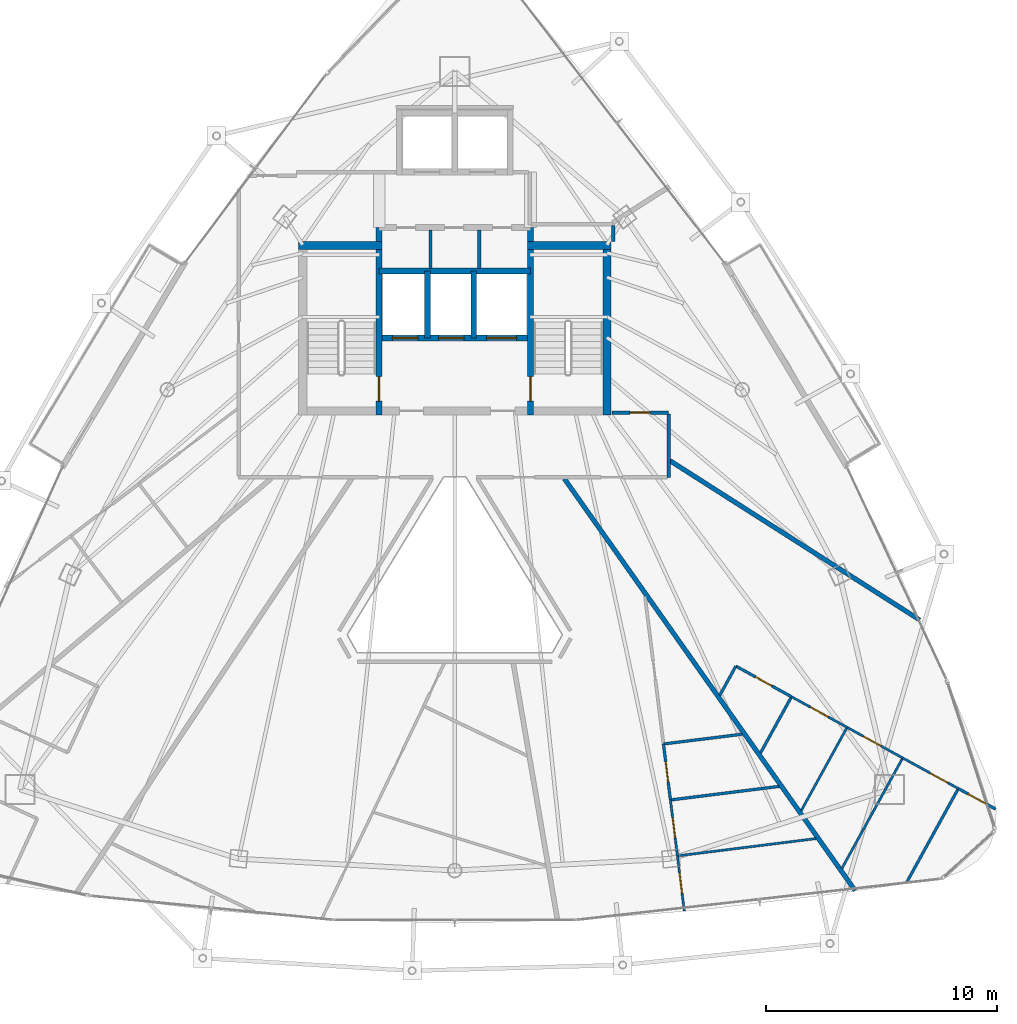
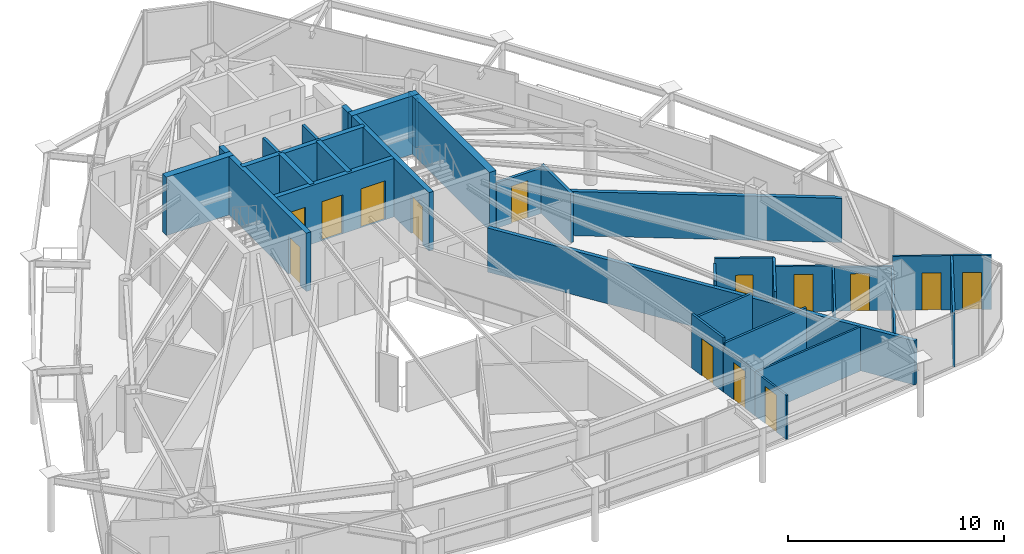
# One storey, part 29 of 33: 32 walls, 14 doors, 14 openings.
"""IFC4 building model written with IfcOpenShell, lengths in metres."""

from ifc_helpers import new_model, si_unit, direction, frame, frame_2d, origin, place, context, subcontext, project, spatial, rectangle, extrude, material, layer, layer_set, type_object, element, fill, save


model = new_model("IFC4")

# Units and contexts
model_context = context("Model", 3, precision=1e-05, world=origin(), true_north=direction((0.0, 1.0)))
body_context = subcontext(model_context, "Body", "Model", "MODEL_VIEW")
ifc_project = project(units=[si_unit("LENGTHUNIT", "METRE"), si_unit("AREAUNIT", "SQUARE_METRE"), si_unit("VOLUMEUNIT", "CUBIC_METRE"), si_unit("PLANEANGLEUNIT", "RADIAN"), si_unit("MASSUNIT", "GRAM", prefix="KILO")], contexts=[model_context])

# Site, building, storey
site_placement = place(None, origin())
site = spatial("IfcSite", under=ifc_project, at=site_placement, CompositionType="ELEMENT")
building_placement = place(site_placement, origin())
building = spatial("IfcBuilding", under=site, at=building_placement, Name="Orvanel Arch Residences", CompositionType="ELEMENT")
storey_placement = place(building_placement, frame((0.0, 0.0, 212.89990234375)))
storey = spatial("IfcBuildingStorey", under=building, at=storey_placement, Name="L60", CompositionType="ELEMENT", Elevation=212.89990234375)

# Wall, opening, door
ifc_material_1 = material(Name="Concrete N50 (50 MPa)", Category="concrete")
ifc_layer_1 = layer(ifc_material_1, 0.25)
ifc_layer_set_1 = layer_set([ifc_layer_1], Name="Concrete N50 (50 MPa)")
wall_type_1 = type_object("IfcWallType", Name="SW-CORE-250", PredefinedType="SHEAR", material=ifc_layer_set_1)
wall_1_placement = place(storey_placement, frame((29.72509765625, 26.550048828125, 0.0), z_axis=(0.0, 0.0, 1.0), x_axis=(0.0, 1.0, 0.0)))
wall_1 = element("IfcWall", 1, at=wall_1_placement, inside=storey, type_object=wall_type_1, Name="L60 West Inner Core Spine Shear Wall", PredefinedType="SHEAR", context=body_context, shape_type="SweptSolid", body=[
    extrude(rectangle(XDim=8.099853515625, YDim=0.25, at=frame_2d((4.0498046875, 0.0))), origin(), (0.0, 0.0, 1.0), 3.300048828125),
])
opening_1_placement = place(wall_1_placement, frame((0.60009765625, 0.0, 0.0)))
opening_1 = element("IfcOpeningElement", 2, at=opening_1_placement, cuts=wall_1, Name="Opening DF-120", PredefinedType="OPENING", context=body_context, shape_type="SweptSolid", body=[
    extrude(rectangle(XDim=1.050048828125, YDim=2.14990234375, at=frame_2d((0.52490234375, 1.074951171875))), frame((0.0, 0.135009765625, 0.0), z_axis=(0.0, -1.0, 0.0), x_axis=(1.0, 0.0, 0.0)), (0.0, 0.0, 1.0), 0.27001953125),
])
ifc_material_2 = material(Name="Galvanised steel fire-resisting door assembly", Category="steel")
door_type_1 = type_object("IfcDoorType", Name="DR-FD120-1050", OperationType="NOTDEFINED", PredefinedType="DOOR", material=ifc_material_2)
door_1_placement = place(opening_1_placement, origin())
door_1 = element("IfcDoor", 3, at=door_1_placement, inside=storey, type_object=door_type_1, Name="DR-L60-ST1 L60 Stair 1 Fire Door", OperationType="SINGLE_SWING_LEFT", OverallHeight=2.14990234375, OverallWidth=1.050048828125, PredefinedType="DOOR", context=body_context, shape_type="SweptSolid", body=[
    extrude(rectangle(XDim=1.050048828125, YDim=2.14990234375, at=frame_2d((0.52490234375, 1.074951171875))), frame((0.0, 0.02490234375, 0.0), z_axis=(0.0, -1.0, 0.0), x_axis=(1.0, 0.0, 0.0)), (0.0, 0.0, 1.0), 0.050048828125),
])
fill(opening_1, door_1)

wall_2_placement = place(storey_placement, frame((36.27490234375, 26.550048828125, 0.0), z_axis=(0.0, 0.0, 1.0), x_axis=(0.0, 1.0, 0.0)))
wall_2 = element("IfcWall", 4, at=wall_2_placement, inside=storey, type_object=wall_type_1, Name="L60 East Inner Core Spine Shear Wall", PredefinedType="SHEAR", context=body_context, shape_type="SweptSolid", body=[
    extrude(rectangle(XDim=8.099853515625, YDim=0.25, at=frame_2d((4.0498046875, 0.0))), origin(), (0.0, 0.0, 1.0), 3.300048828125),
])
opening_2_placement = place(wall_2_placement, frame((0.60009765625, 0.0, 0.0)))
opening_2 = element("IfcOpeningElement", 5, at=opening_2_placement, cuts=wall_2, Name="Opening DF-120", PredefinedType="OPENING", context=body_context, shape_type="SweptSolid", body=[
    extrude(rectangle(XDim=1.050048828125, YDim=2.14990234375, at=frame_2d((0.52490234375, 1.074951171875))), frame((0.0, 0.135009765625, 0.0), z_axis=(0.0, -1.0, 0.0), x_axis=(1.0, 0.0, 0.0)), (0.0, 0.0, 1.0), 0.27001953125),
])
door_2_placement = place(opening_2_placement, origin())
door_2 = element("IfcDoor", 6, at=door_2_placement, inside=storey, type_object=door_type_1, Name="DR-L60-ST2 L60 Stair 2 Fire Door", OperationType="SINGLE_SWING_RIGHT", OverallHeight=2.14990234375, OverallWidth=1.050048828125, PredefinedType="DOOR", context=body_context, shape_type="SweptSolid", body=[
    extrude(rectangle(XDim=1.050048828125, YDim=2.14990234375, at=frame_2d((0.52490234375, 1.074951171875))), frame((0.0, 0.02490234375, 0.0), z_axis=(0.0, -1.0, 0.0), x_axis=(1.0, 0.0, 0.0)), (0.0, 0.0, 1.0), 0.050048828125),
])
fill(opening_2, door_2)

# Wall, openings, doors
wall_3_placement = place(storey_placement, frame((36.27490234375, 29.875, 0.0), z_axis=(0.0, 0.0, 1.0), x_axis=(-1.0, 0.0, 0.0)))
wall_3 = element("IfcWall", 7, at=wall_3_placement, inside=storey, type_object=wall_type_1, Name="L60 Emergency Lift Front Core Shear Wall", PredefinedType="SHEAR", context=body_context, shape_type="SweptSolid", body=[
    extrude(rectangle(XDim=6.5498046875, YDim=0.25, at=frame_2d((3.27490234375, 0.0))), origin(), (0.0, 0.0, 1.0), 3.300048828125),
])
opening_3_placement = place(wall_3_placement, frame((4.875, 0.0, 0.0)))
opening_3 = element("IfcOpeningElement", 8, at=opening_3_placement, cuts=wall_3, Name="Opening LD-110", PredefinedType="OPENING", context=body_context, shape_type="SweptSolid", body=[
    extrude(rectangle(XDim=1.10009765625, YDim=2.199951171875, at=frame_2d((0.550048828125, 1.10009765625))), frame((0.0, 0.135009765625, 0.0), z_axis=(0.0, -1.0, 0.0), x_axis=(1.0, 0.0, 0.0)), (0.0, 0.0, 1.0), 0.27001953125),
])
opening_4_placement = place(wall_3_placement, frame((2.875, 0.0, 0.0)))
opening_4 = element("IfcOpeningElement", 9, at=opening_4_placement, cuts=wall_3, Name="Opening LD-110", PredefinedType="OPENING", context=body_context, shape_type="SweptSolid", body=[
    extrude(rectangle(XDim=1.10009765625, YDim=2.199951171875, at=frame_2d((0.550048828125, 1.10009765625))), frame((0.0, 0.135009765625, 0.0), z_axis=(0.0, -1.0, 0.0), x_axis=(1.0, 0.0, 0.0)), (0.0, 0.0, 1.0), 0.27001953125),
])
opening_5_placement = place(wall_3_placement, frame((0.60009765625, 0.0, 0.0)))
opening_5 = element("IfcOpeningElement", 10, at=opening_5_placement, cuts=wall_3, Name="Opening LD-130", PredefinedType="OPENING", context=body_context, shape_type="SweptSolid", body=[
    extrude(rectangle(XDim=1.300048828125, YDim=2.199951171875, at=frame_2d((0.64990234375, 1.10009765625))), frame((0.0, 0.135009765625, 0.0), z_axis=(0.0, -1.0, 0.0), x_axis=(1.0, 0.0, 0.0)), (0.0, 0.0, 1.0), 0.27001953125),
])
door_type_2 = type_object("IfcDoorType", Name="DR-LFT-1100", OperationType="NOTDEFINED", PredefinedType="DOOR", material=ifc_material_2)
door_3_placement = place(opening_3_placement, origin())
door_3 = element("IfcDoor", 11, at=door_3_placement, inside=storey, type_object=door_type_2, Name="LD-F1-L60 L60 Lift F1 Sliding Landing Door", OperationType="DOUBLE_DOOR_SLIDING", OverallHeight=2.199951171875, OverallWidth=1.10009765625, PredefinedType="DOOR", context=body_context, shape_type="SweptSolid", body=[
    extrude(rectangle(XDim=1.10009765625, YDim=2.199951171875, at=frame_2d((0.550048828125, 1.10009765625))), frame((0.0, 0.02490234375, 0.0), z_axis=(0.0, -1.0, 0.0), x_axis=(1.0, 0.0, 0.0)), (0.0, 0.0, 1.0), 0.050048828125),
])
fill(opening_3, door_3)
door_4_placement = place(opening_4_placement, origin())
door_4 = element("IfcDoor", 12, at=door_4_placement, inside=storey, type_object=door_type_2, Name="LD-F2-L60 L60 Lift F2 Sliding Landing Door", OperationType="DOUBLE_DOOR_SLIDING", OverallHeight=2.199951171875, OverallWidth=1.10009765625, PredefinedType="DOOR", context=body_context, shape_type="SweptSolid", body=[
    extrude(rectangle(XDim=1.10009765625, YDim=2.199951171875, at=frame_2d((0.550048828125, 1.10009765625))), frame((0.0, 0.02490234375, 0.0), z_axis=(0.0, -1.0, 0.0), x_axis=(1.0, 0.0, 0.0)), (0.0, 0.0, 1.0), 0.050048828125),
])
fill(opening_4, door_4)
door_type_3 = type_object("IfcDoorType", Name="DR-LFT-1300", OperationType="NOTDEFINED", PredefinedType="DOOR", material=ifc_material_2)
door_5_placement = place(opening_5_placement, origin())
door_5 = element("IfcDoor", 13, at=door_5_placement, inside=storey, type_object=door_type_3, Name="LD-G1-L60 L60 Lift G1 Sliding Landing Door", OperationType="DOUBLE_DOOR_SLIDING", OverallHeight=2.199951171875, OverallWidth=1.300048828125, PredefinedType="DOOR", context=body_context, shape_type="SweptSolid", body=[
    extrude(rectangle(XDim=1.300048828125, YDim=2.199951171875, at=frame_2d((0.64990234375, 1.10009765625))), frame((0.0, 0.02490234375, 0.0), z_axis=(0.0, -1.0, 0.0), x_axis=(1.0, 0.0, 0.0)), (0.0, 0.0, 1.0), 0.050048828125),
])
fill(opening_5, door_5)

# Walls
wall_4_placement = place(storey_placement, frame((29.72509765625, 32.77490234375, 0.0), z_axis=(0.0, 0.0, 1.0), x_axis=(1.0, 0.0, 0.0)))
element("IfcWall", 14, at=wall_4_placement, inside=storey, type_object=wall_type_1, Name="L60 Emergency Lift Back Core Shear Wall", PredefinedType="SHEAR", context=body_context, shape_type="SweptSolid", body=[
    extrude(rectangle(XDim=6.5498046875, YDim=0.25, at=frame_2d((3.27490234375, 0.0))), origin(), (0.0, 0.0, 1.0), 3.300048828125),
])
for number, where, z_axis, x_axis, name in (
    (15, (31.824951171875, 29.875, 0.0), (0.0, 0.0, 1.0), (0.0, 1.0, 0.0), "L60 Emergency Lift Inter-Shaft Wall F12"),
    (16, (33.824951171875, 29.875, 0.0), (0.0, 0.0, 1.0), (0.0, 1.0, 0.0), "L60 Emergency Lift Inter-Shaft Wall F2G"),
):
    element("IfcWall", number, at=place(storey_placement, frame(where, z_axis=z_axis, x_axis=x_axis)), inside=storey, type_object=wall_type_1, Name=name, PredefinedType="SHEAR", context=body_context, shape_type="SweptSolid", body=[
        extrude(rectangle(XDim=2.89990234375, YDim=0.25, at=frame_2d((1.449951171875, 0.0))), origin(), (0.0, 0.0, 1.0), 3.300048828125),
    ])
ifc_layer_2 = layer(ifc_material_1, 0.35009765625)
ifc_layer_set_2 = layer_set([ifc_layer_2], Name="Concrete N50 (50 MPa)")
wall_type_2 = type_object("IfcWallType", Name="SW-CORE-350", PredefinedType="SHEAR", material=ifc_layer_set_2)
wall_5_placement = place(storey_placement, frame((26.25, 33.875, 0.0), z_axis=(0.0, 0.0, 1.0), x_axis=(1.0, 0.0, 0.0)))
element("IfcWall", 17, at=wall_5_placement, inside=storey, type_object=wall_type_2, Name="L60 West Stair North Shear Wall", PredefinedType="SHEAR", context=body_context, shape_type="SweptSolid", body=[
    extrude(rectangle(XDim=3.60009765625, YDim=0.35009765625, at=frame_2d((1.800048828125, 0.0))), origin(), (0.0, 0.0, 1.0), 3.300048828125),
])
wall_6_placement = place(storey_placement, frame((39.574951171875, 26.550048828125, 0.0), z_axis=(0.0, 0.0, 1.0), x_axis=(0.0, 1.0, 0.0)))
element("IfcWall", 18, at=wall_6_placement, inside=storey, type_object=wall_type_2, Name="L60 East Stair Shear Wall", PredefinedType="SHEAR", context=body_context, shape_type="SweptSolid", body=[
    extrude(rectangle(XDim=7.5, YDim=0.35009765625, at=frame_2d((3.75, 0.0))), origin(), (0.0, 0.0, 1.0), 3.300048828125),
])
wall_7_placement = place(storey_placement, frame((36.14990234375, 33.875, 0.0), z_axis=(0.0, 0.0, 1.0), x_axis=(1.0, 0.0, 0.0)))
element("IfcWall", 19, at=wall_7_placement, inside=storey, type_object=wall_type_2, Name="L60 East Stair North Shear Wall", PredefinedType="SHEAR", context=body_context, shape_type="SweptSolid", body=[
    extrude(rectangle(XDim=3.60009765625, YDim=0.35009765625, at=frame_2d((1.800048828125, 0.0))), origin(), (0.0, 0.0, 1.0), 3.300048828125),
])

# Wall, opening, door
ifc_material_3 = material(Name="Fire-rated plasterboard lined steel stud partition", Category="steel")
ifc_layer_3 = layer(ifc_material_3, 0.14990234375)
ifc_layer_set_3 = layer_set([ifc_layer_3], Name="Fire-rated plasterboard lined steel stud partition")
wall_type_3 = type_object("IfcWallType", Name="W-COR-150", PredefinedType="PARTITIONING", material=ifc_layer_set_3)
wall_8_placement = place(storey_placement, frame((39.7900390625, 26.64990234375, 0.0), z_axis=(0.0, 0.0, 1.0), x_axis=(1.0, 0.0, 0.0)))
wall_8 = element("IfcWall", 20, at=wall_8_placement, inside=storey, type_object=wall_type_3, Name="L60 Corridor Fire-Rated Partition", PredefinedType="PARTITIONING", context=body_context, shape_type="SweptSolid", body=[
    extrude(rectangle(XDim=2.4599609375, YDim=0.14990234375, at=frame_2d((1.22998046875, 0.0))), origin(), (0.0, 0.0, 1.0), 2.565185546875),
])
opening_6_placement = place(wall_8_placement, frame((0.7900390625, 0.0, 0.0)))
opening_6 = element("IfcOpeningElement", 21, at=opening_6_placement, cuts=wall_8, Name="Opening DI-088", PredefinedType="OPENING", context=body_context, shape_type="SweptSolid", body=[
    extrude(rectangle(XDim=0.8798828125, YDim=2.10009765625, at=frame_2d((0.43994140625, 1.050048828125))), frame((0.0, 0.0849609375, 0.0), z_axis=(0.0, -1.0, 0.0), x_axis=(1.0, 0.0, 0.0)), (0.0, 0.0, 1.0), 0.169921875),
])
ifc_material_4 = material(Name="Solid-core European oak veneer fire door leaf", Category="wood")
door_type_4 = type_object("IfcDoorType", Name="DR-INT-880", OperationType="NOTDEFINED", PredefinedType="DOOR", material=ifc_material_4)
door_6_placement = place(opening_6_placement, origin())
door_6 = element("IfcDoor", 22, at=door_6_placement, inside=storey, type_object=door_type_4, Name="DR-L60-SHRD-FB6 L60 Co-Working Study Office F Door", OperationType="SINGLE_SWING_LEFT", OverallHeight=2.10009765625, OverallWidth=0.8798828125, PredefinedType="DOOR", context=body_context, shape_type="SweptSolid", body=[
    extrude(rectangle(XDim=0.8798828125, YDim=2.10009765625, at=frame_2d((0.43994140625, 1.050048828125))), frame((0.0, 0.02490234375, 0.0), z_axis=(0.0, -1.0, 0.0), x_axis=(1.0, 0.0, 0.0)), (0.0, 0.0, 1.0), 0.050048828125),
])
fill(opening_6, door_6)

# Walls
wall_9_placement = place(storey_placement, frame((42.25, 26.590087890625, 0.0), z_axis=(0.0, 0.0, 1.0), x_axis=(0.0, -1.0, 0.0)))
element("IfcWall", 23, at=wall_9_placement, inside=storey, type_object=wall_type_3, Name="L60 Corridor Fire-Rated Partition", PredefinedType="PARTITIONING", context=body_context, shape_type="SweptSolid", body=[
    extrude(rectangle(XDim=2.739990234375, YDim=0.14990234375, at=frame_2d((1.3701171875, 0.0))), origin(), (0.0, 0.0, 1.0), 2.773193359375),
])
wall_10_placement = place(storey_placement, frame((39.85009765625, 34.739990234375, 0.0), z_axis=(0.0, 0.0, 1.0), x_axis=(0.0, -1.0, 0.0)))
element("IfcWall", 24, at=wall_10_placement, inside=storey, type_object=wall_type_3, Name="L60 Core Perimeter Partition", PredefinedType="PARTITIONING", context=body_context, shape_type="SweptSolid", body=[
    extrude(rectangle(XDim=0.68994140625, YDim=0.14990234375, at=frame_2d((0.344970703125, 0.0))), origin(), (0.0, 0.0, 1.0), 2.773193359375),
])
ifc_layer_4 = layer(ifc_material_3, 0.199951171875)
ifc_layer_set_4 = layer_set([ifc_layer_4], Name="Fire-rated plasterboard lined steel stud partition")
wall_type_4 = type_object("IfcWallType", Name="W-DEM-200", PredefinedType="PARTITIONING", material=ifc_layer_set_4)
wall_11_placement = place(storey_placement, frame((50.31591796875, 5.97607421875, 0.0), z_axis=(0.0, 0.0, 1.0), x_axis=(-0.576784728977, 0.816896184603, 0.0)))
element("IfcWall", 25, at=wall_11_placement, inside=storey, type_object=wall_type_4, Name="L60 Inter-Tenancy Acoustic Demising Wall", PredefinedType="PARTITIONING", context=body_context, shape_type="SweptSolid", body=[
    extrude(rectangle(XDim=21.806884765625, YDim=0.199951171875, at=frame_2d((10.9033203125, 0.0))), origin(), (0.0, 0.0, 1.0), 2.4921875),
])
wall_12_placement = place(storey_placement, frame((42.31005859375, 24.56494140625, 0.0), z_axis=(0.0, 0.0, 1.0), x_axis=(0.843209388644, -0.537585274075, 0.0)))
element("IfcWall", 26, at=wall_12_placement, inside=storey, type_object=wall_type_4, Name="L60 Inter-Tenancy Acoustic Demising Wall", PredefinedType="PARTITIONING", context=body_context, shape_type="SweptSolid", body=[
    extrude(rectangle(XDim=12.81640625, YDim=0.199951171875, at=frame_2d((6.408203125, 0.0))), origin(), (0.0, 0.0, 1.0), 2.4921875),
])

# Wall, opening, door
ifc_material_5 = material(Name="Acoustic plasterboard lined twin-stud partition", Category="gypsum")
ifc_layer_5 = layer(ifc_material_5, 0.10009765625)
ifc_layer_set_5 = layer_set([ifc_layer_5], Name="Acoustic plasterboard lined twin-stud partition")
wall_type_5 = type_object("IfcWallType", Name="W-INT-100", PredefinedType="PARTITIONING", material=ifc_layer_set_5)
wall_13_placement = place(storey_placement, frame((54.77587890625, 10.389892578125, 0.0), z_axis=(0.0, 0.0, 1.0), x_axis=(-0.876159561865, 0.48202118434, 0.0)))
wall_13 = element("IfcWall", 27, at=wall_13_placement, inside=storey, type_object=wall_type_5, Name="L60 Studio B Internal Partition", PredefinedType="PARTITIONING", context=body_context, shape_type="SweptSolid", body=[
    extrude(rectangle(XDim=2.74462890625, YDim=0.10009765625, at=frame_2d((1.372314453125, 0.0))), origin(), (0.0, 0.0, 1.0), 3.06005859375),
])
opening_7_placement = place(wall_13_placement, frame((0.508056640625, 0.0, 0.0)))
opening_7 = element("IfcOpeningElement", 28, at=opening_7_placement, cuts=wall_13, Name="Opening DI-088", PredefinedType="OPENING", context=body_context, shape_type="SweptSolid", body=[
    extrude(rectangle(XDim=0.8798828125, YDim=2.10009765625, at=frame_2d((0.43994140625, 1.050048828125))), frame((0.0, 0.06005859375, 0.0), z_axis=(0.0, -1.0, 0.0), x_axis=(1.0, 0.0, 0.0)), (0.0, 0.0, 1.0), 0.1201171875),
])
door_7_placement = place(opening_7_placement, origin())
door_7 = element("IfcDoor", 29, at=door_7_placement, inside=storey, type_object=door_type_4, Name="DR-L60-B-WRD1 L60 Studio B Walk-In Wardrobe 2 Door", OperationType="SINGLE_SWING_LEFT", OverallHeight=2.10009765625, OverallWidth=0.8798828125, PredefinedType="DOOR", context=body_context, shape_type="SweptSolid", body=[
    extrude(rectangle(XDim=0.8798828125, YDim=2.10009765625, at=frame_2d((0.43994140625, 1.050048828125))), frame((0.0, 0.02490234375, 0.0), z_axis=(0.0, -1.0, 0.0), x_axis=(1.0, 0.0, 0.0)), (0.0, 0.0, 1.0), 0.050048828125),
])
fill(opening_7, door_7)

wall_14_placement = place(storey_placement, frame((52.37109375, 11.712890625, 0.0), z_axis=(0.0, 0.0, 1.0), x_axis=(-0.87599239457, 0.482324916064, 0.0)))
wall_14 = element("IfcWall", 30, at=wall_14_placement, inside=storey, type_object=wall_type_5, Name="L60 Studio B Internal Partition", PredefinedType="PARTITIONING", context=body_context, shape_type="SweptSolid", body=[
    extrude(rectangle(XDim=2.74560546875, YDim=0.10009765625, at=frame_2d((1.372802734375, 0.0))), origin(), (0.0, 0.0, 1.0), 2.4921875),
])
opening_8_placement = place(wall_14_placement, frame((1.073974609375, 0.0, 0.0)))
opening_8 = element("IfcOpeningElement", 31, at=opening_8_placement, cuts=wall_14, Name="Opening DI-088", PredefinedType="OPENING", context=body_context, shape_type="SweptSolid", body=[
    extrude(rectangle(XDim=0.8798828125, YDim=2.10009765625, at=frame_2d((0.43994140625, 1.050048828125))), frame((0.0, 0.06005859375, 0.0), z_axis=(0.0, -1.0, 0.0), x_axis=(1.0, 0.0, 0.0)), (0.0, 0.0, 1.0), 0.1201171875),
])
door_8_placement = place(opening_8_placement, origin())
door_8 = element("IfcDoor", 32, at=door_8_placement, inside=storey, type_object=door_type_4, Name="DR-L60-B-DIN2 L60 Studio B Dining Room 2 Door", OperationType="SINGLE_SWING_LEFT", OverallHeight=2.10009765625, OverallWidth=0.8798828125, PredefinedType="DOOR", context=body_context, shape_type="SweptSolid", body=[
    extrude(rectangle(XDim=0.8798828125, YDim=2.10009765625, at=frame_2d((0.43994140625, 1.050048828125))), frame((0.0, 0.02490234375, 0.0), z_axis=(0.0, -1.0, 0.0), x_axis=(1.0, 0.0, 0.0)), (0.0, 0.0, 1.0), 0.050048828125),
])
fill(opening_8, door_8)

wall_15_placement = place(storey_placement, frame((49.966064453125, 13.037109375, 0.0), z_axis=(0.0, 0.0, 1.0), x_axis=(-0.876029965154, 0.482256674554, 0.0)))
wall_15 = element("IfcWall", 33, at=wall_15_placement, inside=storey, type_object=wall_type_5, Name="L60 Studio B Internal Partition", PredefinedType="PARTITIONING", context=body_context, shape_type="SweptSolid", body=[
    extrude(rectangle(XDim=2.745361328125, YDim=0.10009765625, at=frame_2d((1.37255859375, 0.0))), origin(), (0.0, 0.0, 1.0), 2.565185546875),
])
opening_9_placement = place(wall_15_placement, frame((0.93310546875, 0.0, 0.0)))
opening_9 = element("IfcOpeningElement", 34, at=opening_9_placement, cuts=wall_15, Name="Opening DI-088", PredefinedType="OPENING", context=body_context, shape_type="SweptSolid", body=[
    extrude(rectangle(XDim=0.8798828125, YDim=2.10009765625, at=frame_2d((0.43994140625, 1.050048828125))), frame((0.0, 0.06005859375, 0.0), z_axis=(0.0, -1.0, 0.0), x_axis=(1.0, 0.0, 0.0)), (0.0, 0.0, 1.0), 0.1201171875),
])
door_9_placement = place(opening_9_placement, origin())
door_9 = element("IfcDoor", 35, at=door_9_placement, inside=storey, type_object=door_type_4, Name="DR-L60-B-WRD3 L60 Studio B Walk-In Wardrobe 3 Door", OperationType="SINGLE_SWING_LEFT", OverallHeight=2.10009765625, OverallWidth=0.8798828125, PredefinedType="DOOR", context=body_context, shape_type="SweptSolid", body=[
    extrude(rectangle(XDim=0.8798828125, YDim=2.10009765625, at=frame_2d((0.43994140625, 1.050048828125))), frame((0.0, 0.02490234375, 0.0), z_axis=(0.0, -1.0, 0.0), x_axis=(1.0, 0.0, 0.0)), (0.0, 0.0, 1.0), 0.050048828125),
])
fill(opening_9, door_9)

# Walls
wall_16_placement = place(storey_placement, frame((49.741943359375, 6.93701171875, 0.0), z_axis=(0.0, 0.0, 1.0), x_axis=(0.482259092216, 0.876028634221, 0.0)))
element("IfcWall", 36, at=wall_16_placement, inside=storey, type_object=wall_type_5, Name="L60 Studio B Internal Partition", PredefinedType="PARTITIONING", context=body_context, shape_type="SweptSolid", body=[
    extrude(rectangle(XDim=5.45166015625, YDim=0.10009765625, at=frame_2d((2.725830078125, 0.0))), origin(), (0.0, 0.0, 1.0), 2.4921875),
])
wall_17_placement = place(storey_placement, frame((47.98095703125, 9.430908203125, 0.0), z_axis=(0.0, 0.0, 1.0), x_axis=(0.482235180657, 0.876041797255, 0.0)))
element("IfcWall", 37, at=wall_17_placement, inside=storey, type_object=wall_type_5, Name="L60 Studio B Internal Partition", PredefinedType="PARTITIONING", context=body_context, shape_type="SweptSolid", body=[
    extrude(rectangle(XDim=4.116455078125, YDim=0.10009765625, at=frame_2d((2.05810546875, 0.0))), origin(), (0.0, 0.0, 1.0), 2.4921875),
])

# Wall, opening, door
wall_18_placement = place(storey_placement, frame((42.6279296875, 7.47802734375, 0.0), z_axis=(0.0, 0.0, 1.0), x_axis=(0.123572330504, -0.992335567806, 0.0)))
wall_18 = element("IfcWall", 38, at=wall_18_placement, inside=storey, type_object=wall_type_5, Name="L60 Flat C Internal Partition", PredefinedType="PARTITIONING", context=body_context, shape_type="SweptSolid", body=[
    extrude(rectangle(XDim=2.404296875, YDim=0.10009765625, at=frame_2d((1.2021484375, 0.0))), origin(), (0.0, 0.0, 1.0), 2.4921875),
])
opening_10_placement = place(wall_18_placement, frame((0.761962890625, 0.0, 0.0)))
opening_10 = element("IfcOpeningElement", 39, at=opening_10_placement, cuts=wall_18, Name="Opening DI-088", PredefinedType="OPENING", context=body_context, shape_type="SweptSolid", body=[
    extrude(rectangle(XDim=0.8798828125, YDim=2.10009765625, at=frame_2d((0.43994140625, 1.050048828125))), frame((0.0, 0.06005859375, 0.0), z_axis=(0.0, -1.0, 0.0), x_axis=(1.0, 0.0, 0.0)), (0.0, 0.0, 1.0), 0.1201171875),
])
door_10_placement = place(opening_10_placement, origin())
door_10 = element("IfcDoor", 40, at=door_10_placement, inside=storey, type_object=door_type_4, Name="DR-L60-C-BED1 L60 Flat C Bedroom 1 Door", OperationType="SINGLE_SWING_LEFT", OverallHeight=2.10009765625, OverallWidth=0.8798828125, PredefinedType="DOOR", context=body_context, shape_type="SweptSolid", body=[
    extrude(rectangle(XDim=0.8798828125, YDim=2.10009765625, at=frame_2d((0.43994140625, 1.050048828125))), frame((0.0, 0.02490234375, 0.0), z_axis=(0.0, -1.0, 0.0), x_axis=(1.0, 0.0, 0.0)), (0.0, 0.0, 1.0), 0.050048828125),
])
fill(opening_10, door_10)

wall_19_placement = place(storey_placement, frame((42.325927734375, 9.89697265625, 0.0), z_axis=(0.0, 0.0, 1.0), x_axis=(0.123886817851, -0.992296355109, 0.0)))
wall_19 = element("IfcWall", 41, at=wall_19_placement, inside=storey, type_object=wall_type_5, Name="L60 Flat C Internal Partition", PredefinedType="PARTITIONING", context=body_context, shape_type="SweptSolid", body=[
    extrude(rectangle(XDim=2.437744140625, YDim=0.10009765625, at=frame_2d((1.21875, 0.0))), origin(), (0.0, 0.0, 1.0), 2.4921875),
])
opening_11_placement = place(wall_19_placement, frame((0.779052734375, 0.0, 0.0)))
opening_11 = element("IfcOpeningElement", 42, at=opening_11_placement, cuts=wall_19, Name="Opening DI-088", PredefinedType="OPENING", context=body_context, shape_type="SweptSolid", body=[
    extrude(rectangle(XDim=0.8798828125, YDim=2.10009765625, at=frame_2d((0.43994140625, 1.050048828125))), frame((0.0, 0.06005859375, 0.0), z_axis=(0.0, -1.0, 0.0), x_axis=(1.0, 0.0, 0.0)), (0.0, 0.0, 1.0), 0.1201171875),
])
door_11_placement = place(opening_11_placement, origin())
door_11 = element("IfcDoor", 43, at=door_11_placement, inside=storey, type_object=door_type_4, Name="DR-L60-C-DIN2 L60 Flat C Dining Room 2 Door", OperationType="SINGLE_SWING_LEFT", OverallHeight=2.10009765625, OverallWidth=0.8798828125, PredefinedType="DOOR", context=body_context, shape_type="SweptSolid", body=[
    extrude(rectangle(XDim=0.8798828125, YDim=2.10009765625, at=frame_2d((0.43994140625, 1.050048828125))), frame((0.0, 0.02490234375, 0.0), z_axis=(0.0, -1.0, 0.0), x_axis=(1.0, 0.0, 0.0)), (0.0, 0.0, 1.0), 0.050048828125),
])
fill(opening_11, door_11)

# Walls
wall_20_placement = place(storey_placement, frame((42.6279296875, 7.47802734375, 0.0), z_axis=(0.0, 0.0, 1.0), x_axis=(0.992305206969, 0.123815896488, 0.0)))
element("IfcWall", 44, at=wall_20_placement, inside=storey, type_object=wall_type_5, Name="L60 Flat C Internal Partition", PredefinedType="PARTITIONING", context=body_context, shape_type="SweptSolid", body=[
    extrude(rectangle(XDim=6.04150390625, YDim=0.10009765625, at=frame_2d((3.020751953125, 0.0))), origin(), (0.0, 0.0, 1.0), 2.4921875),
])
ifc_layer_6 = layer(ifc_material_3, 0.14990234375)
ifc_layer_set_6 = layer_set([ifc_layer_6], Name="Fire-rated plasterboard lined steel stud partition")
wall_type_6 = type_object("IfcWallType", Name="W-ST-150", PredefinedType="PARTITIONING", material=ifc_layer_set_6)
for number, where, z_axis, x_axis, name in (
    (45, (31.949951171875, 32.885009765625, 0.0), (0.0, 0.0, 1.0), (0.0, 1.0, 0.0), "L60 Core Service Partition 1"),
    (46, (34.050048828125, 32.885009765625, 0.0), (0.0, 0.0, 1.0), (0.0, 1.0, 0.0), "L60 Core Service Partition 2"),
):
    element("IfcWall", number, at=place(storey_placement, frame(where, z_axis=z_axis, x_axis=x_axis)), inside=storey, type_object=wall_type_6, Name=name, PredefinedType="PARTITIONING", context=body_context, shape_type="SweptSolid", body=[
        extrude(rectangle(XDim=1.655029296875, YDim=0.14990234375, at=frame_2d((0.82763671875, 0.0))), origin(), (0.0, 0.0, 1.0), 3.06005859375),
    ])

# Wall, opening, door
ifc_layer_7 = layer(ifc_material_5, 0.1201171875)
ifc_layer_set_7 = layer_set([ifc_layer_7], Name="Acoustic plasterboard lined twin-stud partition")
wall_type_7 = type_object("IfcWallType", Name="W-WET-120", PredefinedType="PARTITIONING", material=ifc_layer_set_7)
wall_21_placement = place(storey_placement, frame((47.56103515625, 14.361083984375, 0.0), z_axis=(0.0, 0.0, 1.0), x_axis=(-0.876029965154, 0.482256674554, 0.0)))
wall_21 = element("IfcWall", 47, at=wall_21_placement, inside=storey, type_object=wall_type_7, Name="L60 Studio B Bathroom Partition", PredefinedType="PARTITIONING", context=body_context, shape_type="SweptSolid", body=[
    extrude(rectangle(XDim=2.745361328125, YDim=0.1201171875, at=frame_2d((1.37255859375, 0.0))), origin(), (0.0, 0.0, 1.0), 3.06005859375),
])
opening_12_placement = place(wall_21_placement, frame((0.962890625, 0.0, 0.0)))
opening_12 = element("IfcOpeningElement", 48, at=opening_12_placement, cuts=wall_21, Name="Opening DW-082", PredefinedType="OPENING", context=body_context, shape_type="SweptSolid", body=[
    extrude(rectangle(XDim=0.820068359375, YDim=2.10009765625, at=frame_2d((0.41015625, 1.050048828125))), frame((0.0, 0.070068359375, 0.0), z_axis=(0.0, -1.0, 0.0), x_axis=(1.0, 0.0, 0.0)), (0.0, 0.0, 1.0), 0.14013671875),
])
door_type_5 = type_object("IfcDoorType", Name="DR-WET-820", OperationType="NOTDEFINED", PredefinedType="DOOR", material=ifc_material_4)
door_12_placement = place(opening_12_placement, origin())
door_12 = element("IfcDoor", 49, at=door_12_placement, inside=storey, type_object=door_type_5, Name="DR-L60-B-BATH L60 Studio B Bathroom Door", OperationType="SINGLE_SWING_RIGHT", OverallHeight=2.10009765625, OverallWidth=0.820068359375, PredefinedType="DOOR", context=body_context, shape_type="SweptSolid", body=[
    extrude(rectangle(XDim=0.820068359375, YDim=2.10009765625, at=frame_2d((0.41015625, 1.050048828125))), frame((0.0, 0.02490234375, 0.0), z_axis=(0.0, -1.0, 0.0), x_axis=(1.0, 0.0, 0.0)), (0.0, 0.0, 1.0), 0.050048828125),
])
fill(opening_12, door_12)

# Wall
wall_22_placement = place(storey_placement, frame((45.156005859375, 15.68505859375, 0.0), z_axis=(0.0, 0.0, 1.0), x_axis=(-0.482268873401, -0.876023249548, 0.0)))
element("IfcWall", 50, at=wall_22_placement, inside=storey, type_object=wall_type_7, Name="L60 Studio B Bathroom Partition", PredefinedType="PARTITIONING", context=body_context, shape_type="SweptSolid", body=[
    extrude(rectangle(XDim=1.4453125, YDim=0.1201171875, at=frame_2d((0.72265625, 0.0))), origin(), (0.0, 0.0, 1.0), 2.773193359375),
])

# Wall, opening, door
wall_23_placement = place(storey_placement, frame((56.39501953125, 9.4990234375, 0.0), z_axis=(0.0, 0.0, 1.0), x_axis=(-0.876137798995, 0.482060740128, 0.0)))
wall_23 = element("IfcWall", 51, at=wall_23_placement, inside=storey, type_object=wall_type_7, Name="L60 Studio B Internal Partition", PredefinedType="PARTITIONING", context=body_context, shape_type="SweptSolid", body=[
    extrude(rectangle(XDim=1.84814453125, YDim=0.1201171875, at=frame_2d((0.924072265625, 0.0))), origin(), (0.0, 0.0, 1.0), 3.06005859375),
])
opening_13_placement = place(wall_23_placement, frame((0.48388671875, 0.0, 0.0)))
opening_13 = element("IfcOpeningElement", 52, at=opening_13_placement, cuts=wall_23, Name="Opening DI-088", PredefinedType="OPENING", context=body_context, shape_type="SweptSolid", body=[
    extrude(rectangle(XDim=0.8798828125, YDim=2.10009765625, at=frame_2d((0.43994140625, 1.050048828125))), frame((0.0, 0.070068359375, 0.0), z_axis=(0.0, -1.0, 0.0), x_axis=(1.0, 0.0, 0.0)), (0.0, 0.0, 1.0), 0.14013671875),
])
door_13_placement = place(opening_13_placement, origin())
door_13 = element("IfcDoor", 53, at=door_13_placement, inside=storey, type_object=door_type_4, Name="DR-L60-B-KIT L60 Studio B Kitchenette Door", OperationType="SINGLE_SWING_LEFT", OverallHeight=2.10009765625, OverallWidth=0.8798828125, PredefinedType="DOOR", context=body_context, shape_type="SweptSolid", body=[
    extrude(rectangle(XDim=0.8798828125, YDim=2.10009765625, at=frame_2d((0.43994140625, 1.050048828125))), frame((0.0, 0.02490234375, 0.0), z_axis=(0.0, -1.0, 0.0), x_axis=(1.0, 0.0, 0.0)), (0.0, 0.0, 1.0), 0.050048828125),
])
fill(opening_13, door_13)

# Walls
wall_24_placement = place(storey_placement, frame((47.56103515625, 14.361083984375, 0.0), z_axis=(0.0, 0.0, 1.0), x_axis=(-0.482262481374, -0.87602676846, 0.0)))
element("IfcWall", 54, at=wall_24_placement, inside=storey, type_object=wall_type_7, Name="L60 Studio B Bathroom Partition", PredefinedType="PARTITIONING", context=body_context, shape_type="SweptSolid", body=[
    extrude(rectangle(XDim=2.78076171875, YDim=0.1201171875, at=frame_2d((1.390380859375, 0.0))), origin(), (0.0, 0.0, 1.0), 3.06005859375),
])
wall_25_placement = place(storey_placement, frame((52.514892578125, 6.282958984375, 0.0), z_axis=(0.0, 0.0, 1.0), x_axis=(0.482274545088, 0.876020127143, 0.0)))
element("IfcWall", 55, at=wall_25_placement, inside=storey, type_object=wall_type_7, Name="L60 Studio B Internal Partition", PredefinedType="PARTITIONING", context=body_context, shape_type="SweptSolid", body=[
    extrude(rectangle(XDim=4.688232421875, YDim=0.1201171875, at=frame_2d((2.34423828125, 0.0))), origin(), (0.0, 0.0, 1.0), 3.06005859375),
])

# Wall, opening, door
wall_26_placement = place(storey_placement, frame((42.02392578125, 12.31689453125, 0.0), z_axis=(0.0, 0.0, 1.0), x_axis=(0.123837590029, -0.992302499894, 0.0)))
wall_26 = element("IfcWall", 56, at=wall_26_placement, inside=storey, type_object=wall_type_7, Name="L60 Flat C Internal Partition", PredefinedType="PARTITIONING", context=body_context, shape_type="SweptSolid", body=[
    extrude(rectangle(XDim=2.438720703125, YDim=0.1201171875, at=frame_2d((1.21923828125, 0.0))), origin(), (0.0, 0.0, 1.0), 3.06005859375),
])
opening_14_placement = place(wall_26_placement, frame((0.779052734375, 0.0, 0.0)))
opening_14 = element("IfcOpeningElement", 57, at=opening_14_placement, cuts=wall_26, Name="Opening DI-088", PredefinedType="OPENING", context=body_context, shape_type="SweptSolid", body=[
    extrude(rectangle(XDim=0.8798828125, YDim=2.10009765625, at=frame_2d((0.43994140625, 1.050048828125))), frame((0.0, 0.070068359375, 0.0), z_axis=(0.0, -1.0, 0.0), x_axis=(1.0, 0.0, 0.0)), (0.0, 0.0, 1.0), 0.14013671875),
])
door_14_placement = place(opening_14_placement, origin())
door_14 = element("IfcDoor", 58, at=door_14_placement, inside=storey, type_object=door_type_4, Name="DR-L60-C-KIT L60 Flat C Kitchen Door", OperationType="SINGLE_SWING_LEFT", OverallHeight=2.10009765625, OverallWidth=0.8798828125, PredefinedType="DOOR", context=body_context, shape_type="SweptSolid", body=[
    extrude(rectangle(XDim=0.8798828125, YDim=2.10009765625, at=frame_2d((0.43994140625, 1.050048828125))), frame((0.0, 0.02490234375, 0.0), z_axis=(0.0, -1.0, 0.0), x_axis=(1.0, 0.0, 0.0)), (0.0, 0.0, 1.0), 0.050048828125),
])
fill(opening_14, door_14)

# Walls
wall_27_placement = place(storey_placement, frame((45.43505859375, 12.741943359375, 0.0), z_axis=(0.0, 0.0, 1.0), x_axis=(-0.99232587892, -0.123650111308, 0.0)))
element("IfcWall", 59, at=wall_27_placement, inside=storey, type_object=wall_type_7, Name="L60 Flat C Bathroom Partition", PredefinedType="PARTITIONING", context=body_context, shape_type="SweptSolid", body=[
    extrude(rectangle(XDim=3.4375, YDim=0.1201171875, at=frame_2d((1.71875, 0.0))), origin(), (0.0, 0.0, 1.0), 2.773193359375),
])
wall_28_placement = place(storey_placement, frame((47.029052734375, 10.48388671875, 0.0), z_axis=(0.0, 0.0, 1.0), x_axis=(-0.992303215116, -0.123831858863, 0.0)))
element("IfcWall", 60, at=wall_28_placement, inside=storey, type_object=wall_type_7, Name="L60 Flat C Internal Partition", PredefinedType="PARTITIONING", context=body_context, shape_type="SweptSolid", body=[
    extrude(rectangle(XDim=4.739501953125, YDim=0.1201171875, at=frame_2d((2.36962890625, 0.0))), origin(), (0.0, 0.0, 1.0), 2.773193359375),
])

save(model, "model.ifc")
